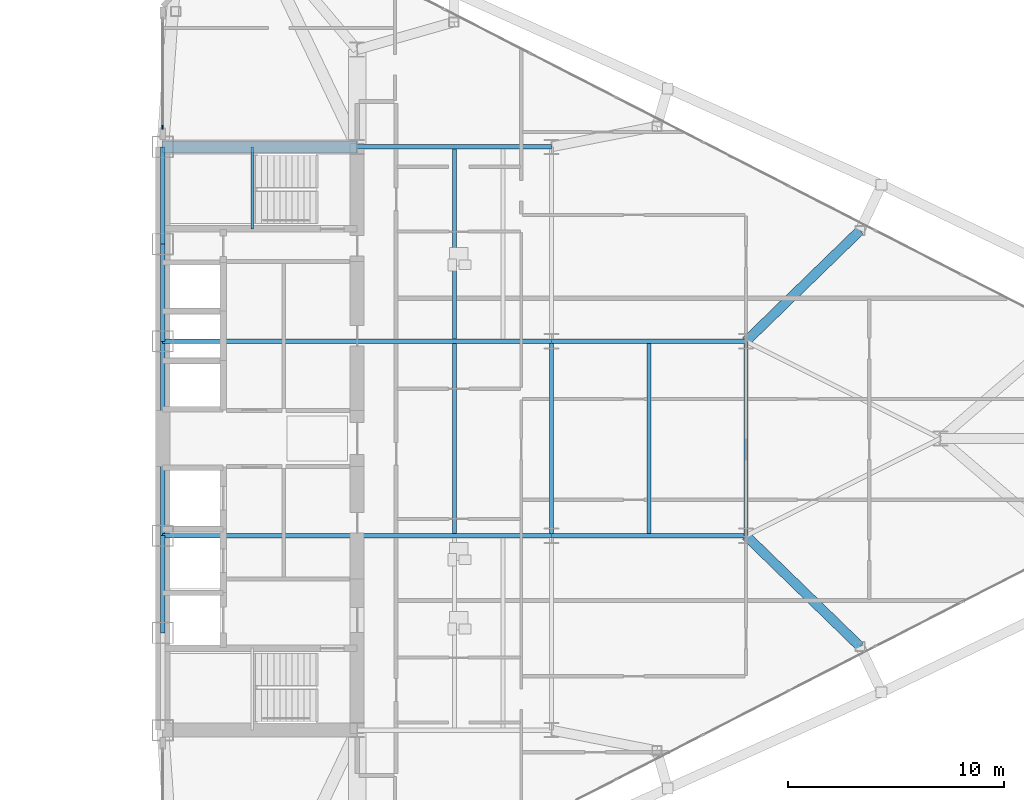
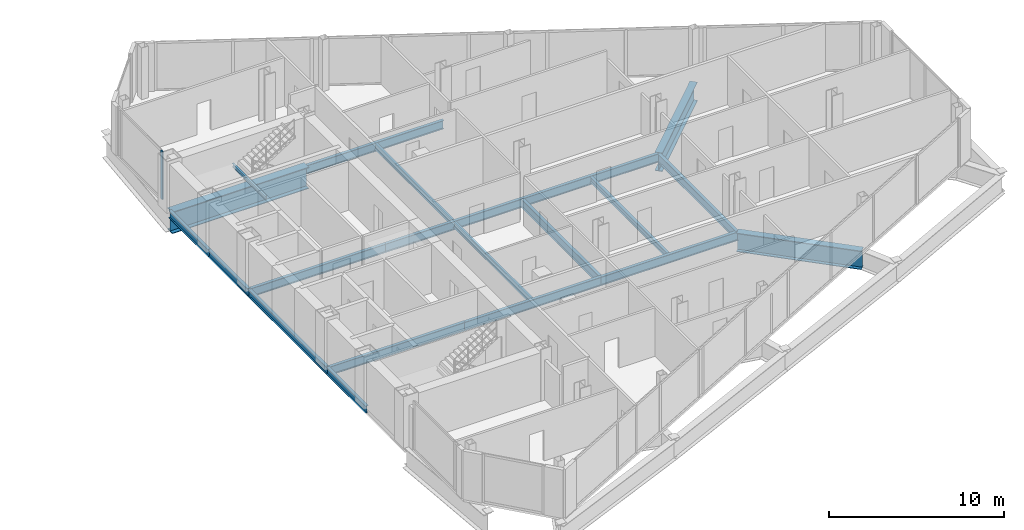
# One storey, part 12 of 28: 20 beams, 1 member, 1 element without a shape of its own.
"""IFC4 building model written with IfcOpenShell, lengths in metres."""

from ifc_helpers import new_model, si_unit, direction, frame, origin, origin_2d, place, context, subcontext, project, spatial, rectangle, i_section, extrude, source, transform, mapped, material, layer, layer_set, material_profile, profile_set, type_object, type_shapes, element, aggregate, save


model = new_model("IFC4")

# Units and contexts
model_context = context("Model", 3, precision=1e-05, world=origin(), true_north=direction((0.0, 1.0)))
body_context = subcontext(model_context, "Body", "Model", "MODEL_VIEW")
ifc_project = project(units=[si_unit("LENGTHUNIT", "METRE"), si_unit("AREAUNIT", "SQUARE_METRE"), si_unit("VOLUMEUNIT", "CUBIC_METRE"), si_unit("PLANEANGLEUNIT", "RADIAN"), si_unit("MASSUNIT", "GRAM", prefix="KILO")], contexts=[model_context])

# Site, building, storey
site_placement = place(None, origin())
site = spatial("IfcSite", under=ifc_project, at=site_placement, CompositionType="ELEMENT")
building_placement = place(site_placement, origin())
building = spatial("IfcBuilding", under=site, at=building_placement, Name="Seokmaru Belvedere", CompositionType="ELEMENT")
storey_placement = place(building_placement, frame((0.0, 0.0, 110.39990234375)))
storey = spatial("IfcBuildingStorey", under=building, at=storey_placement, Name="L29", CompositionType="ELEMENT", Elevation=110.39990234375)

# Beams
ifc_material_1 = material(Name="Steel SM355 (355 MPa)", Category="steel")
ifc_material_profile_1 = material_profile(ifc_material_1, i_section(OverallWidth=0.199951171875, OverallDepth=0.5, WebThickness=0.010009765625, FlangeThickness=0.01611328125, at=origin_2d()), Name="H-500x200x10x16")
ifc_profile_set_1 = profile_set([ifc_material_profile_1], Name="Steel SM355 (355 MPa)")
beam_type_1 = type_object("IfcBeamType", Name="Perimeter Spandrel Beam H-500", PredefinedType="SPANDREL", material=ifc_profile_set_1)
shared_shape_1 = source(origin(), body_context, "Body", "SweptSolid", [
    extrude(i_section(OverallWidth=0.199951171875, OverallDepth=0.5, WebThickness=0.010009765625, FlangeThickness=0.01611328125, at=origin_2d()), origin(), (0.0, 0.0, 1.0), 4.5),
])
for number, where, z_axis, x_axis, name in (
    (1, (27.5, -9.0, -0.469970703125), (0.0, 1.0, 0.0), (-1.0, 0.0, 0.0), "L29 E Portal Spine Spandrel 2"),
    (2, (27.5, 4.5, -0.469970703125), (0.0, 1.0, 0.0), (-1.0, 0.0, 0.0), "L29 E Portal Spine Spandrel 4"),
    (3, (27.5, 9.0, -0.469970703125), (0.0, 1.0, 0.0), (-1.0, 0.0, 0.0), "L29 E Portal Spine Spandrel 5"),
):
    element("IfcBeam", number, at=place(storey_placement, frame(where, z_axis=z_axis, x_axis=x_axis)), inside=storey, type_object=beam_type_1, Name=name, PredefinedType="SPANDREL", context=body_context, shape_type="MappedRepresentation", body=[
        mapped(shared_shape_1, transform((0.0, 0.0, 0.0), scale=1.0)),
    ])
shared_shape_2 = source(origin(), body_context, "Body", "SweptSolid", [
    extrude(i_section(OverallWidth=0.199951171875, OverallDepth=0.5, WebThickness=0.010009765625, FlangeThickness=0.01611328125, at=origin_2d()), origin(), (0.0, 0.0, 1.0), 9.0),
])
type_shapes(beam_type_1, [shared_shape_1, shared_shape_2])
beam_1_placement = place(storey_placement, frame((27.5, -4.5, -0.469970703125), z_axis=(0.0, 1.0, 0.0), x_axis=(-1.0, 0.0, 0.0)))
element("IfcBeam", 4, at=beam_1_placement, inside=storey, type_object=beam_type_1, Name="L29 E Portal Spine Spandrel 3", PredefinedType="SPANDREL", context=body_context, shape_type="MappedRepresentation", body=[
    mapped(shared_shape_2, transform((0.0, 0.0, 0.0), scale=1.0)),
])
ifc_material_2 = material(Name="Steel HSA650 (650 MPa)", Category="steel")
ifc_material_profile_2 = material_profile(ifc_material_2, i_section(OverallWidth=0.550048828125, OverallDepth=1.5, WebThickness=0.028076171875, FlangeThickness=0.044921875, at=origin_2d()), Name="BH-1500x550x28x45")
ifc_profile_set_2 = profile_set([ifc_material_profile_2], Name="Steel HSA650 (650 MPa)")
beam_type_2 = type_object("IfcBeamType", Name="Setback Transfer Girder BH-1500", PredefinedType="BEAM", material=ifc_profile_set_2)
shared_shape_3 = source(origin(), body_context, "Body", "SweptSolid", [
    extrude(i_section(OverallWidth=0.550048828125, OverallDepth=1.5, WebThickness=0.028076171875, FlangeThickness=0.044921875, at=origin_2d()), origin(), (0.0, 0.0, 1.0), 9.0),
])
type_shapes(beam_type_2, [shared_shape_3])
beam_2_placement = place(storey_placement, frame((27.5, 13.5, -0.969970703125), z_axis=(1.0, 0.0, 0.0), x_axis=(0.0, 1.0, 0.0)))
element("IfcBeam", 5, at=beam_2_placement, inside=storey, type_object=beam_type_2, Name="L29 E Core Transfer Header 4", PredefinedType="BEAM", context=body_context, shape_type="MappedRepresentation", body=[
    mapped(shared_shape_3, transform((0.0, 0.0, 0.0), scale=1.0)),
])
ifc_material_profile_3 = material_profile(ifc_material_1, i_section(OverallWidth=0.199951171875, OverallDepth=0.60009765625, WebThickness=0.010986328125, FlangeThickness=0.01708984375, at=origin_2d()), Name="H-600x200x11x17")
ifc_profile_set_3 = profile_set([ifc_material_profile_3], Name="Steel SM355 (355 MPa)")
beam_type_3 = type_object("IfcBeamType", Name="Primary Floor Girder H-600", PredefinedType="BEAM", material=ifc_profile_set_3)
shared_shape_4 = source(origin(), body_context, "Body", "SweptSolid", [
    extrude(i_section(OverallWidth=0.199951171875, OverallDepth=0.60009765625, WebThickness=0.010986328125, FlangeThickness=0.01708984375, at=origin_2d()), origin(), (0.0, 0.0, 1.0), 9.0),
])
type_shapes(beam_type_3, [shared_shape_4])
for number, where, z_axis, x_axis, name in (
    (6, (45.5, -4.5, -0.52001953125), (0.0, 1.0, 0.0), (-1.0, 0.0, 0.0), "L29 E Interior Grid Girder 2"),
    (7, (27.5, -4.5, -0.52001953125), (1.0, 0.0, 0.0), (0.0, 1.0, 0.0), "L29 E Core Tie Girder 2"),
    (8, (36.5, -4.5, -0.52001953125), (1.0, 0.0, 0.0), (0.0, 1.0, 0.0), "L29 E Wing Primary Girder 2"),
    (9, (27.5, 4.5, -0.52001953125), (1.0, 0.0, 0.0), (0.0, 1.0, 0.0), "L29 E Core Tie Girder 3"),
    (10, (36.5, 4.5, -0.52001953125), (1.0, 0.0, 0.0), (0.0, 1.0, 0.0), "L29 E Wing Primary Girder 3"),
    (11, (36.5, 13.5, -0.52001953125), (1.0, 0.0, 0.0), (0.0, 1.0, 0.0), "L29 E Wing Primary Girder 4"),
    (12, (45.5, -4.5, -0.52001953125), (1.0, 0.0, 0.0), (0.0, 1.0, 0.0), "L29 E Outer Wing Girder 1"),
    (13, (45.5, 4.5, -0.52001953125), (1.0, 0.0, 0.0), (0.0, 1.0, 0.0), "L29 E Outer Wing Girder 2"),
    (14, (54.5, -4.5, -0.52001953125), (0.0, 1.0, 0.0), (-1.0, 0.0, 0.0), "L29 E Apex Frame Girder"),
):
    element("IfcBeam", number, at=place(storey_placement, frame(where, z_axis=z_axis, x_axis=x_axis)), inside=storey, type_object=beam_type_3, Name=name, PredefinedType="BEAM", context=body_context, shape_type="MappedRepresentation", body=[
        mapped(shared_shape_4, transform((0.0, 0.0, 0.0), scale=1.0)),
    ])
ifc_material_profile_4 = material_profile(ifc_material_1, i_section(OverallWidth=0.18505859375, OverallDepth=0.389892578125, WebThickness=0.008056640625, FlangeThickness=0.011962890625, at=origin_2d()), Name="H-390x185x8x12")
ifc_profile_set_4 = profile_set([ifc_material_profile_4], Name="Steel SM355 (355 MPa)")
beam_type_4 = type_object("IfcBeamType", Name="Secondary Floor Joist H-350", PredefinedType="JOIST", material=ifc_profile_set_4)
shared_shape_5 = source(origin(), body_context, "Body", "SweptSolid", [
    extrude(i_section(OverallWidth=0.18505859375, OverallDepth=0.389892578125, WebThickness=0.008056640625, FlangeThickness=0.011962890625, at=origin_2d()), origin(), (0.0, 0.0, 1.0), 8.7900390625),
])
type_shapes(beam_type_4, [shared_shape_5])
for number, where, z_axis, x_axis, name in (
    (15, (41.0, -4.39501953125, -0.414794921875), (0.0, 1.0, 0.0), (-1.0, 0.0, 0.0), "L29 E Secondary Floor Joist 2"),
    (16, (41.0, 4.60498046875, -0.414794921875), (0.0, 1.0, 0.0), (-1.0, 0.0, 0.0), "L29 E Secondary Floor Joist 3"),
    (17, (50.0, -4.39501953125, -0.414794921875), (0.0, 1.0, 0.0), (-1.0, 0.0, 0.0), "L29 E Outer Bay Secondary Joist"),
):
    element("IfcBeam", number, at=place(storey_placement, frame(where, z_axis=z_axis, x_axis=x_axis)), inside=storey, type_object=beam_type_4, Name=name, PredefinedType="JOIST", context=body_context, shape_type="MappedRepresentation", body=[
        mapped(shared_shape_5, transform((0.0, 0.0, 0.0), scale=1.0)),
    ])
ifc_material_profile_5 = material_profile(ifc_material_2, i_section(OverallWidth=0.449951171875, OverallDepth=1.300048828125, WebThickness=0.02197265625, FlangeThickness=0.0380859375, at=origin_2d()), Name="BH-1300x450x22x38")
ifc_profile_set_5 = profile_set([ifc_material_profile_5], Name="Steel HSA650 (650 MPa)")
beam_type_5 = type_object("IfcBeamType", Name="Observatory Long-Span Roof Girder BH-1300", PredefinedType="BEAM", material=ifc_profile_set_5)
shared_shape_6 = source(origin(), body_context, "Body", "SweptSolid", [
    extrude(i_section(OverallWidth=0.449951171875, OverallDepth=1.300048828125, WebThickness=0.02197265625, FlangeThickness=0.0380859375, at=origin_2d()), origin(), (0.0, 0.0, 1.0), 7.35986328125),
])
type_shapes(beam_type_5, [shared_shape_6])
for number, where, z_axis, x_axis, name in (
    (18, (59.778564453125, -9.62890625, -0.869873046875), (-0.717200745515, 0.696866623273, 0.0), (-0.696866623273, -0.717200745515, 0.0), "L29 E Flank Setback Back-Span Girder S-3"),
    (19, (59.778564453125, 9.62890625, -0.869873046875), (-0.717200745515, -0.696866623273, 0.0), (0.696866623273, -0.717200745515, 0.0), "L29 E Flank Setback Back-Span Girder N-3"),
):
    element("IfcBeam", number, at=place(storey_placement, frame(where, z_axis=z_axis, x_axis=x_axis)), inside=storey, type_object=beam_type_5, Name=name, PredefinedType="BEAM", context=body_context, shape_type="MappedRepresentation", body=[
        mapped(shared_shape_6, transform((0.0, 0.0, 0.0), scale=1.0)),
    ])

# Curtain wall, member
ifc_material_3 = material(Name="Bronze Triple Insulating Glass", Category="glass")
ifc_layer = layer(ifc_material_3, 0.195068359375)
ifc_layer_set = layer_set([ifc_layer], Name="Bronze Triple Insulating Glass")
curtain_wall_type = type_object("IfcCurtainWallType", Name="Sky-Lobby and Mid-Rise Curtain Wall System CW-4", PredefinedType="NOTDEFINED", material=ifc_layer_set)
curtain_wall_placement = place(storey_placement, origin())
curtain_wall = element("IfcCurtainWall", 20, at=curtain_wall_placement, inside=storey, type_object=curtain_wall_type, Name="L29 Curtain Wall ESP_2", PredefinedType="NOTDEFINED")
ifc_material_4 = material(Name="Anodised Bronze Aluminium", Category="aluminium")
ifc_material_profile_6 = material_profile(ifc_material_4, rectangle(XDim=0.070068359375, YDim=0.195068359375, at=origin_2d()), Name="CW-M-70x195")
ifc_profile_set_6 = profile_set([ifc_material_profile_6], Name="Anodised Bronze Aluminium")
member_type = type_object("IfcMemberType", Name="Bronze Unitised Mullion 70x195", PredefinedType="MULLION", material=ifc_profile_set_6)
shared_shape_7 = source(origin(), body_context, "Body", "SweptSolid", [
    extrude(rectangle(XDim=0.070068359375, YDim=0.195068359375, at=origin_2d()), origin(), (0.0, 0.0, 1.0), 3.380126953125),
])
type_shapes(member_type, [shared_shape_7])
member_placement = place(storey_placement, frame((27.5, 14.4150390625, 0.0), z_axis=(0.0, 0.0, 1.0), x_axis=(1.0, 0.0, 0.0)))
member = element("IfcMember", 21, at=member_placement, type_object=member_type, Name="CW:L29:ESP_2 Mullion 2", PredefinedType="MULLION", context=body_context, shape_type="MappedRepresentation", body=[
    mapped(shared_shape_7, transform((0.0, 0.0, 0.0), scale=1.0)),
])
aggregate(curtain_wall, [member])

# Beam
ifc_material_profile_7 = material_profile(ifc_material_1, i_section(OverallWidth=0.125, OverallDepth=0.25, WebThickness=0.006103515625, FlangeThickness=0.009033203125, at=origin_2d()), Name="H-250x125x6x9")
ifc_profile_set_7 = profile_set([ifc_material_profile_7], Name="Steel SM355 (355 MPa)")
beam_type_6 = type_object("IfcBeamType", Name="Stair Mid-Landing Support Beam H-250", PredefinedType="JOIST", material=ifc_profile_set_7)
shared_shape_8 = source(origin(), body_context, "Body", "SweptSolid", [
    extrude(i_section(OverallWidth=0.125, OverallDepth=0.25, WebThickness=0.006103515625, FlangeThickness=0.009033203125, at=origin_2d()), origin(), (0.0, 0.0, 1.0), 3.800048828125),
])
type_shapes(beam_type_6, [shared_shape_8])
beam_3_placement = place(storey_placement, frame((31.64990234375, 9.699951171875, 1.47509765625), z_axis=(0.0, 1.0, 0.0), x_axis=(-1.0, 0.0, 0.0)))
element("IfcBeam", 22, at=beam_3_placement, inside=storey, type_object=beam_type_6, Name="L29 Stair ST-E2 Mid-Landing Support Beam 1", PredefinedType="JOIST", context=body_context, shape_type="MappedRepresentation", body=[
    mapped(shared_shape_8, transform((0.0, 0.0, 0.0), scale=1.0)),
])

save(model, "model.ifc")
